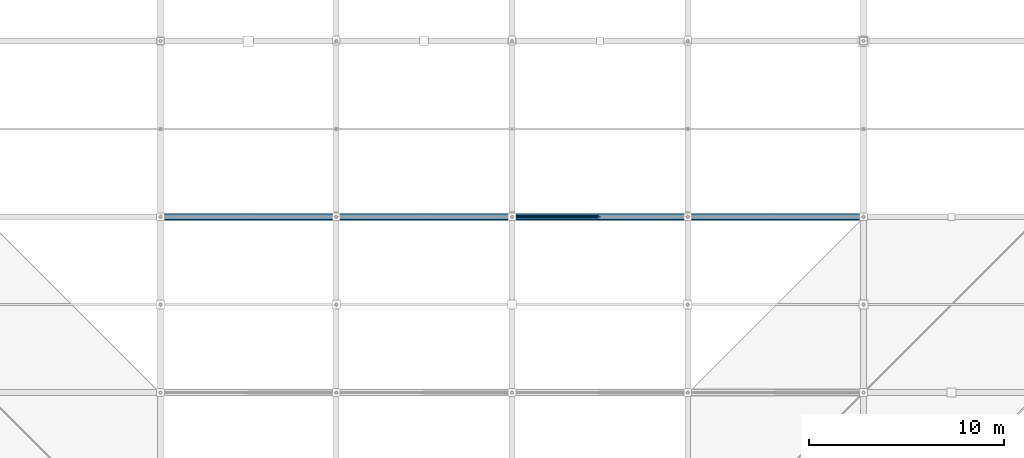
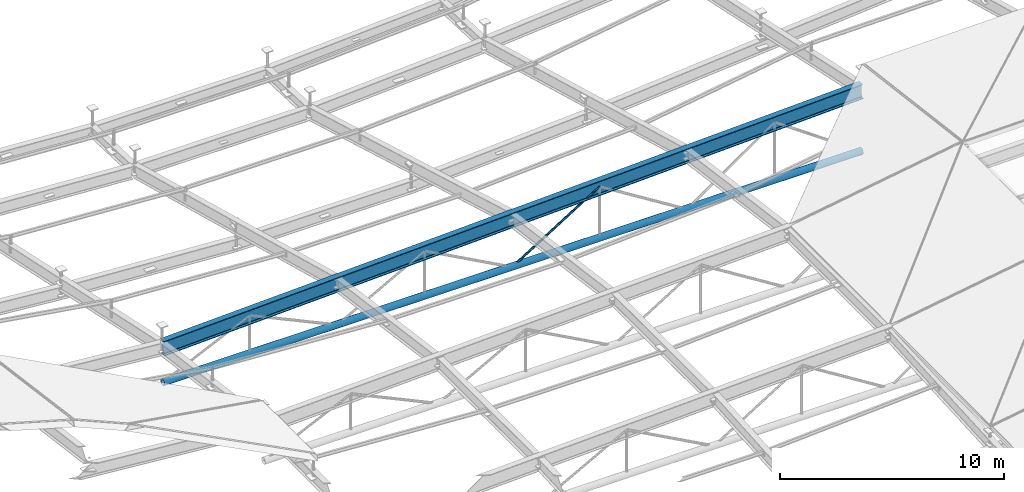
# One storey, part 41 of 80: 2 members, 1 beam.
"""IFC4 building model written with IfcOpenShell, lengths in metres."""

from ifc_helpers import new_model, si_unit, direction, frame, origin, origin_2d, place, context, subcontext, project, spatial, hollow_circle, i_section, extrude, material, material_profile, profile_set, type_object, element, save


model = new_model("IFC4")

# Units and contexts
model_context = context("Model", 3, precision=1e-05, world=origin(), true_north=direction((0.0, 1.0)))
body_context = subcontext(model_context, "Body", "Model", "MODEL_VIEW")
ifc_project = project(units=[si_unit("LENGTHUNIT", "METRE"), si_unit("AREAUNIT", "SQUARE_METRE"), si_unit("VOLUMEUNIT", "CUBIC_METRE"), si_unit("PLANEANGLEUNIT", "RADIAN"), si_unit("MASSUNIT", "GRAM", prefix="KILO")], contexts=[model_context])

# Site, building, storey
site_placement = place(None, origin())
site = spatial("IfcSite", under=ifc_project, at=site_placement, CompositionType="ELEMENT")
building_placement = place(site_placement, origin())
building = spatial("IfcBuilding", under=site, at=building_placement, Name="Barlavento Convention Centre", CompositionType="ELEMENT")
storey_placement = place(building_placement, frame((0.0, 0.0, 29.800048828125)))
storey = spatial("IfcBuildingStorey", under=building, at=storey_placement, Name="RF", CompositionType="ELEMENT", Elevation=29.800048828125)

# Beam
ifc_material_1 = material(Name="Steel S460", Category="steel")
ifc_material_profile_1 = material_profile(ifc_material_1, i_section(OverallWidth=0.300048828125, OverallDepth=0.800048828125, WebThickness=0.017578125, FlangeThickness=0.032958984375, FilletRadius=0.030029296875, at=origin_2d()), Name="HEB 800")
ifc_profile_set_1 = profile_set([ifc_material_profile_1], Name="Steel S460")
beam_type = type_object("IfcBeamType", Name="STR-BM-CONG-HEB800", PredefinedType="BEAM", material=ifc_profile_set_1)
beam_placement = place(storey_placement, frame((18.02001953125, 36.0, -2.442138671875), z_axis=(0.999229333867, 0.0, 0.039252239943), x_axis=(0.0, 1.0, 0.0)))
element("IfcBeam", 1, at=beam_placement, inside=storey, type_object=beam_type, Name="Plenary hall 36 m roof truss top chord BG04", PredefinedType="BEAM", context=body_context, shape_type="SweptSolid", body=[
    extrude(i_section(OverallWidth=0.300048828125, OverallDepth=0.800048828125, WebThickness=0.017578125, FlangeThickness=0.032958984375, FilletRadius=0.030029296875, at=origin_2d()), origin(), (0.0, 0.0, 1.0), 35.98779296875),
])

# Members
ifc_material_2 = material(Name="Steel S355", Category="steel")
ifc_material_profile_2 = material_profile(ifc_material_2, hollow_circle(Radius=0.177734375, WallThickness=0.01611328125, at=origin_2d()), Name="CHS 355.6x16.0")
ifc_profile_set_2 = profile_set([ifc_material_profile_2], Name="Steel S355")
member_type_1 = type_object("IfcMemberType", Name="STR-MEM-CHD-CHS355", PredefinedType="CHORD", material=ifc_profile_set_2)
member_1_placement = place(storey_placement, frame((18.02001953125, 36.0, -4.342041015625), z_axis=(1.0, 0.0, 0.0), x_axis=(0.0, 1.0, 0.0)))
element("IfcMember", 2, at=member_1_placement, inside=storey, type_object=member_type_1, Name="Plenary hall roof truss bottom chord TC01", PredefinedType="CHORD", context=body_context, shape_type="SweptSolid", body=[
    extrude(hollow_circle(Radius=0.177734375, WallThickness=0.01611328125, at=origin_2d()), origin(), (0.0, 0.0, 1.0), 35.9599609375),
])
ifc_material_profile_3 = material_profile(ifc_material_2, hollow_circle(Radius=0.05712890625, WallThickness=0.00634765625, at=origin_2d()), Name="CHS 114.3x6.3")
ifc_profile_set_3 = profile_set([ifc_material_profile_3], Name="Steel S355")
member_type_2 = type_object("IfcMemberType", Name="STR-MEM-DIAG-CHS114", PredefinedType="BRACE", material=ifc_profile_set_3)
member_2_placement = place(storey_placement, frame((36.050048828125, 36.0, -4.342041015625), z_axis=(0.8478493144, 0.0, 0.530237248853), x_axis=(0.0, 1.0, 0.0)))
element("IfcMember", 3, at=member_2_placement, inside=storey, type_object=member_type_2, Name="Plenary hall roof truss web member", PredefinedType="BRACE", context=body_context, shape_type="SweptSolid", body=[
    extrude(hollow_circle(Radius=0.05712890625, WallThickness=0.00634765625, at=origin_2d()), origin(), (0.0, 0.0, 1.0), 5.24853515625),
])

save(model, "model.ifc")
